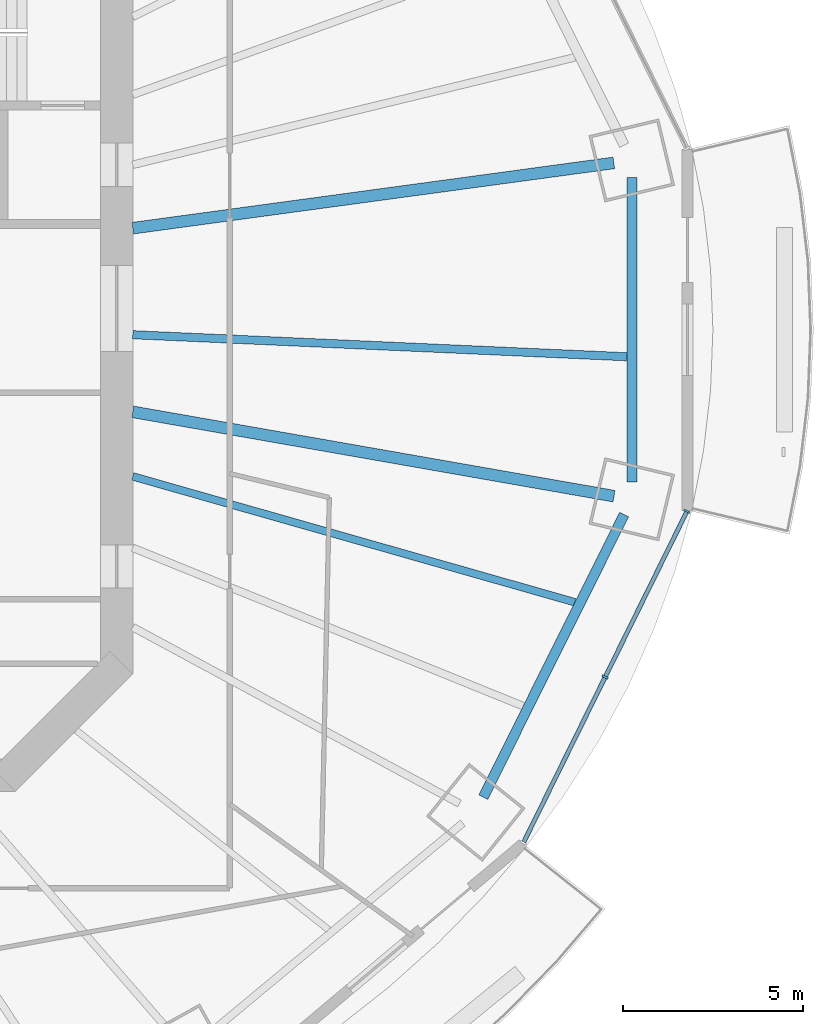
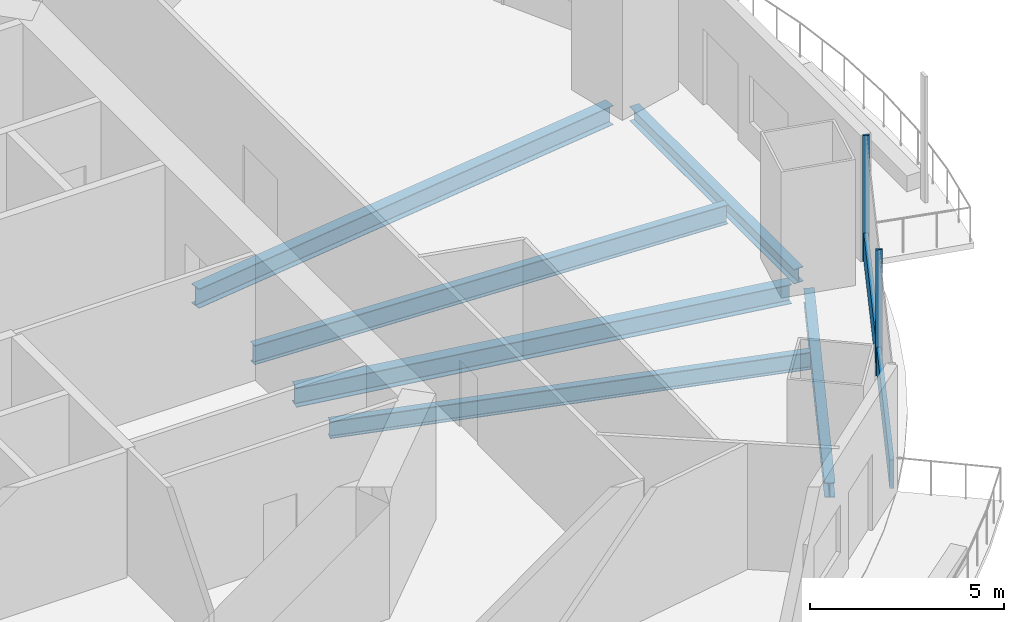
# One storey, part 5 of 19: 6 beams, 3 members, 1 element without a shape of its own.
"""IFC4 building model written with IfcOpenShell, lengths in metres."""

from ifc_helpers import new_model, si_unit, direction, frame, origin, origin_2d, place, context, subcontext, project, spatial, rectangle, i_section, extrude, material, material_profile, profile_set, type_object, element, aggregate, save


model = new_model("IFC4")

# Units and contexts
model_context = context("Model", 3, precision=1e-05, world=origin(), true_north=direction((0.0, 1.0)))
body_context = subcontext(model_context, "Body", "Model", "MODEL_VIEW")
ifc_project = project(units=[si_unit("LENGTHUNIT", "METRE"), si_unit("AREAUNIT", "SQUARE_METRE"), si_unit("VOLUMEUNIT", "CUBIC_METRE"), si_unit("PLANEANGLEUNIT", "RADIAN"), si_unit("MASSUNIT", "GRAM", prefix="KILO")], contexts=[model_context])

# Site, building, storey
site_placement = place(None, origin())
site = spatial("IfcSite", under=ifc_project, at=site_placement, CompositionType="ELEMENT")
building_placement = place(site_placement, origin())
building = spatial("IfcBuilding", under=site, at=building_placement, Name="Marenthal Gate Tower", CompositionType="ELEMENT")
storey_placement = place(building_placement, frame((0.0, 0.0, 231.60009765625)))
storey = spatial("IfcBuildingStorey", under=building, at=storey_placement, Name="L51", CompositionType="ELEMENT", Elevation=231.60009765625)

# Curtain wall, members
ifc_material_1 = material(Name="Aluminium and glass", Category="aluminium")
curtain_wall_type = type_object("IfcCurtainWallType", Name="Curtain wall typical mid", PredefinedType="NOTDEFINED", material=ifc_material_1)
curtain_wall_placement = place(storey_placement, origin())
curtain_wall = element("IfcCurtainWall", 1, at=curtain_wall_placement, inside=storey, type_object=curtain_wall_type, Name="Curtain wall L51 bay 15", PredefinedType="NOTDEFINED")
ifc_material_2 = material(Name="Aluminium", Category="aluminium")
ifc_material_profile_1 = material_profile(ifc_material_2, rectangle(XDim=0.179931640625, YDim=0.06005859375, at=origin_2d()), Name="60x180 aluminium mullion")
ifc_profile_set_1 = profile_set([ifc_material_profile_1], Name="Aluminium")
member_type_1 = type_object("IfcMemberType", Name="Mullion 60x180 typical mid", PredefinedType="MULLION", material=ifc_profile_set_1)
member_1_placement = place(storey_placement, frame((29.607177734375, -10.2705078125, 0.0), z_axis=(0.0, 0.0, 1.0), x_axis=(-0.896797507361, 0.442441217329, 0.0)))
member_1 = element("IfcMember", 2, at=member_1_placement, type_object=member_type_1, Name="Mullion L51 bay 15.2", PredefinedType="MULLION", context=body_context, shape_type="SweptSolid", body=[
    extrude(rectangle(XDim=0.179931640625, YDim=0.06005859375, at=origin_2d()), origin(), (0.0, 0.0, 1.0), 3.969970703125),
])
member_2_placement = place(storey_placement, frame((31.885009765625, -5.6533203125, 0.0), z_axis=(0.0, 0.0, 1.0), x_axis=(-0.896797507361, 0.442441217329, 0.0)))
member_2 = element("IfcMember", 3, at=member_2_placement, type_object=member_type_1, Name="Mullion L51 bay 15.3", PredefinedType="MULLION", context=body_context, shape_type="SweptSolid", body=[
    extrude(rectangle(XDim=0.179931640625, YDim=0.06005859375, at=origin_2d()), origin(), (0.0, 0.0, 1.0), 3.969970703125),
])
ifc_material_3 = material(Name="Aluminium", Category="aluminium")
ifc_material_profile_2 = material_profile(ifc_material_3, rectangle(XDim=0.1201171875, YDim=0.89990234375, at=origin_2d()), Name="120x900 aluminium transom")
ifc_profile_set_2 = profile_set([ifc_material_profile_2], Name="Aluminium")
member_type_2 = type_object("IfcMemberType", Name="Transom 120x900 typical mid", PredefinedType="USERDEFINED", material=ifc_profile_set_2)
member_3_placement = place(storey_placement, frame((27.342529296875, -14.860595703125, 0.449951171875), z_axis=(0.442456460688, 0.896789986783, 0.0), x_axis=(-0.896789986783, 0.442456460688, 0.0)))
member_3 = element("IfcMember", 4, at=member_3_placement, type_object=member_type_2, Name="Transom L51 bay 15", ObjectType="TRANSOM", PredefinedType="USERDEFINED", context=body_context, shape_type="SweptSolid", body=[
    extrude(rectangle(XDim=0.1201171875, YDim=0.89990234375, at=origin_2d()), origin(), (0.0, 0.0, 1.0), 10.23681640625),
])
aggregate(curtain_wall, [member_1, member_2, member_3])

# Beams
ifc_material_4 = material(Name="Steel S355", Category="steel")
ifc_material_profile_3 = material_profile(ifc_material_4, i_section(OverallWidth=0.279052734375, OverallDepth=0.4619140625, WebThickness=0.0107421875, FlangeThickness=0.017333984375, FilletRadius=0.010009765625, at=origin_2d()), Name="W460X113")
ifc_profile_set_3 = profile_set([ifc_material_profile_3], Name="Steel S355")
beam_type_1 = type_object("IfcBeamType", Name="W460X113 beam", PredefinedType="BEAM", material=ifc_profile_set_3)
beam_1_placement = place(storey_placement, frame((26.213134765625, -13.61376953125, -0.4111328125), z_axis=(0.446158339693, 0.894954041235, 0.0), x_axis=(-0.894954041235, 0.446158339693, 0.0)))
element("IfcBeam", 5, at=beam_1_placement, inside=storey, type_object=beam_type_1, Name="BM-L51-55", PredefinedType="BEAM", context=body_context, shape_type="SweptSolid", body=[
    extrude(i_section(OverallWidth=0.279052734375, OverallDepth=0.4619140625, WebThickness=0.0107421875, FlangeThickness=0.017333984375, FilletRadius=0.010009765625, at=origin_2d()), origin(), (0.0, 0.0, 1.0), 8.794189453125),
])
beam_2_placement = place(storey_placement, frame((30.3486328125, -4.841552734375, -0.4111328125), z_axis=(0.0, 1.0, 0.0), x_axis=(-1.0, 0.0, 0.0)))
element("IfcBeam", 6, at=beam_2_placement, inside=storey, type_object=beam_type_1, Name="BM-L51-56", PredefinedType="BEAM", context=body_context, shape_type="SweptSolid", body=[
    extrude(i_section(OverallWidth=0.279052734375, OverallDepth=0.4619140625, WebThickness=0.0107421875, FlangeThickness=0.017333984375, FilletRadius=0.010009765625, at=origin_2d()), origin(), (0.0, 0.0, 1.0), 8.483154296875),
])
ifc_material_5 = material(Name="Steel S355", Category="steel")
ifc_material_profile_4 = material_profile(ifc_material_5, i_section(OverallWidth=0.2119140625, OverallDepth=0.5439453125, WebThickness=0.01318359375, FlangeThickness=0.021240234375, FilletRadius=0.0126953125, at=origin_2d()), Name="W530X123")
ifc_profile_set_4 = profile_set([ifc_material_profile_4], Name="Steel S355")
beam_type_2 = type_object("IfcBeamType", Name="W530X123 beam", PredefinedType="BEAM", material=ifc_profile_set_4)
beam_3_placement = place(storey_placement, frame((28.763427734375, -8.185546875, -0.4521484375), z_axis=(-0.961811985112, 0.273710988626, 0.0), x_axis=(-0.273710988626, -0.961811985112, 0.0)))
element("IfcBeam", 7, at=beam_3_placement, inside=storey, type_object=beam_type_2, Name="BM-L51-39", PredefinedType="BEAM", context=body_context, shape_type="SweptSolid", body=[
    extrude(i_section(OverallWidth=0.2119140625, OverallDepth=0.5439453125, WebThickness=0.01318359375, FlangeThickness=0.021240234375, FilletRadius=0.0126953125, at=origin_2d()), origin(), (0.0, 0.0, 1.0), 12.802490234375),
])
ifc_material_6 = material(Name="Steel S355", Category="steel")
ifc_material_profile_5 = material_profile(ifc_material_6, i_section(OverallWidth=0.22900390625, OverallDepth=0.612060546875, WebThickness=0.011962890625, FlangeThickness=0.01953125, FilletRadius=0.0126953125, at=origin_2d()), Name="W610X125")
ifc_profile_set_5 = profile_set([ifc_material_profile_5], Name="Steel S355")
beam_type_3 = type_object("IfcBeamType", Name="W610X125 beam", PredefinedType="BEAM", material=ifc_profile_set_5)
beam_4_placement = place(storey_placement, frame((30.209228515625, -1.3486328125, -0.486083984375), z_axis=(-0.999004980576, 0.04459875317, 0.0), x_axis=(-0.04459875317, -0.999004980576, 0.0)))
element("IfcBeam", 8, at=beam_4_placement, inside=storey, type_object=beam_type_3, Name="BM-L51-40", PredefinedType="BEAM", context=body_context, shape_type="SweptSolid", body=[
    extrude(i_section(OverallWidth=0.22900390625, OverallDepth=0.612060546875, WebThickness=0.011962890625, FlangeThickness=0.01953125, FilletRadius=0.0126953125, at=origin_2d()), origin(), (0.0, 0.0, 1.0), 13.77294921875),
])
ifc_material_7 = material(Name="Steel S355", Category="steel")
ifc_material_profile_6 = material_profile(ifc_material_7, i_section(OverallWidth=0.324951171875, OverallDepth=0.612060546875, WebThickness=0.0126953125, FlangeThickness=0.01904296875, FilletRadius=0.0126953125, at=origin_2d()), Name="W610X155")
ifc_profile_set_6 = profile_set([ifc_material_profile_6], Name="Steel S355")
beam_type_4 = type_object("IfcBeamType", Name="W610X155 beam", PredefinedType="BEAM", material=ifc_profile_set_6)
beam_5_placement = place(storey_placement, frame((29.848388671875, 4.05029296875, -0.486083984375), z_axis=(-0.990920920004, -0.134446012579, 0.0), x_axis=(0.134446012579, -0.990920920004, 0.0)))
element("IfcBeam", 9, at=beam_5_placement, inside=storey, type_object=beam_type_4, Name="BM-L51-01", PredefinedType="BEAM", context=body_context, shape_type="SweptSolid", body=[
    extrude(i_section(OverallWidth=0.324951171875, OverallDepth=0.612060546875, WebThickness=0.0126953125, FlangeThickness=0.01904296875, FilletRadius=0.0126953125, at=origin_2d()), origin(), (0.0, 0.0, 1.0), 13.521240234375),
])
beam_6_placement = place(storey_placement, frame((29.854248046875, -5.231689453125, -0.486083984375), z_axis=(-0.984991449928, 0.172603138929, 0.0), x_axis=(-0.172603138929, -0.984991449928, 0.0)))
element("IfcBeam", 10, at=beam_6_placement, inside=storey, type_object=beam_type_4, Name="BM-L51-16", PredefinedType="BEAM", context=body_context, shape_type="SweptSolid", body=[
    extrude(i_section(OverallWidth=0.324951171875, OverallDepth=0.612060546875, WebThickness=0.0126953125, FlangeThickness=0.01904296875, FilletRadius=0.0126953125, at=origin_2d()), origin(), (0.0, 0.0, 1.0), 13.608642578125),
])

save(model, "model.ifc")
